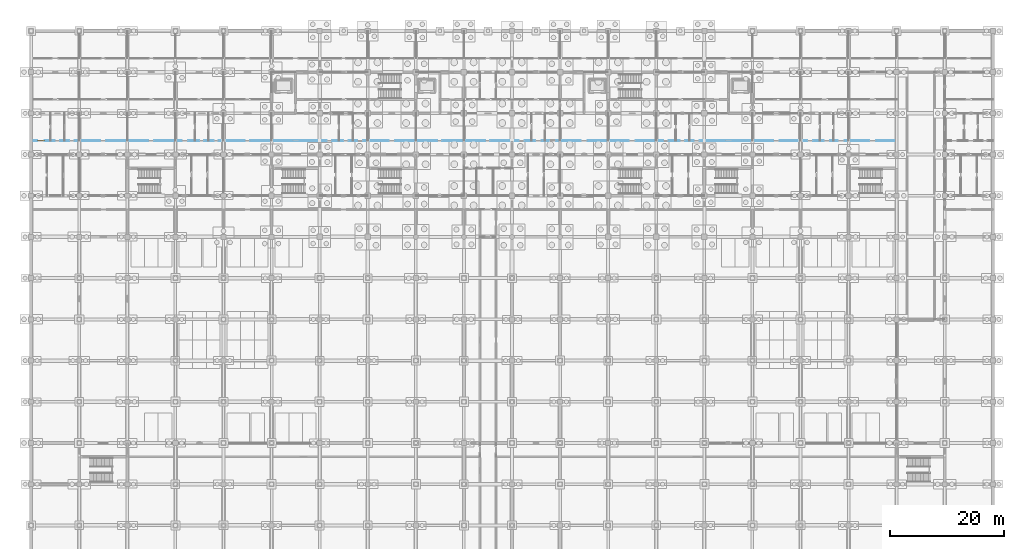
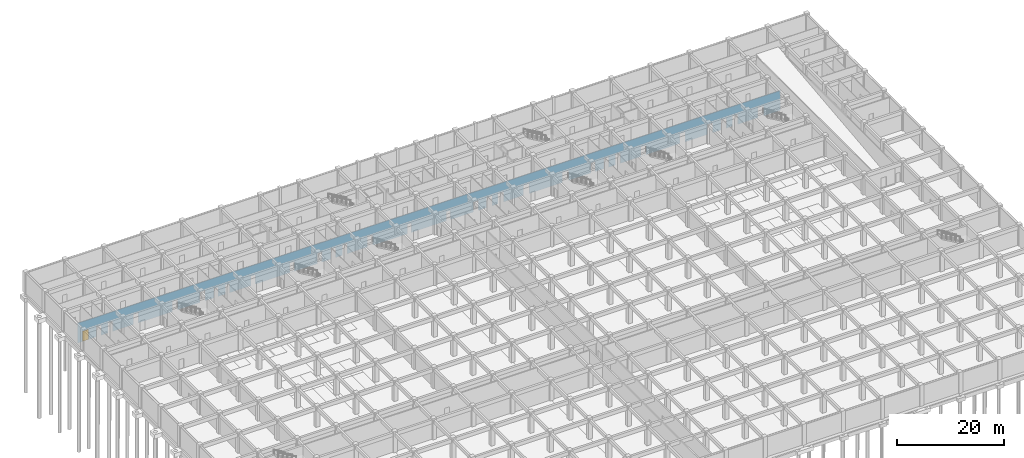
# One storey, part 41 of 85: 1 door, 30 openings, plus 1 element that does not belong to this part.
"""IFC4 building model written with IfcOpenShell, lengths in metres."""

from ifc_helpers import new_model, si_unit, direction, frame, frame_2d, origin, place, context, subcontext, project, spatial, rectangle, extrude, material, layer, layer_set, type_object, element, fill, save


model = new_model("IFC4")

# Units and contexts
model_context = context("Model", 3, precision=1e-05, world=origin(), true_north=direction((0.0, 1.0)))
body_context = subcontext(model_context, "Body", "Model", "MODEL_VIEW")
ifc_project = project(units=[si_unit("LENGTHUNIT", "METRE"), si_unit("AREAUNIT", "SQUARE_METRE"), si_unit("VOLUMEUNIT", "CUBIC_METRE"), si_unit("PLANEANGLEUNIT", "RADIAN"), si_unit("MASSUNIT", "GRAM", prefix="KILO")], contexts=[model_context])

# Site, building, storey
site_placement = place(None, origin())
site = spatial("IfcSite", under=ifc_project, at=site_placement, CompositionType="ELEMENT")
building_placement = place(site_placement, origin())
building = spatial("IfcBuilding", under=site, at=building_placement, Name="Chengyuan Square Courthouse", CompositionType="ELEMENT")
storey_placement = place(building_placement, frame((0.0, 0.0, -10.199951171875)))
storey = spatial("IfcBuildingStorey", under=building, at=storey_placement, Name="B02", CompositionType="ELEMENT", Elevation=-10.199951171875)

# Wall, openings, door
ifc_material_1 = material(Name="Gypsum Plasterboard Acoustic Stud Partition")
ifc_layer = layer(ifc_material_1, 0.10009765625)
ifc_layer_set = layer_set([ifc_layer], Name="Gypsum Plasterboard Acoustic Stud Partition")
wall_type = type_object("IfcWallType", Name="WL-PT6", PredefinedType="STANDARD", material=ifc_layer_set)
wall_placement = place(storey_placement, frame((0.0400390625, 96.0, 0.0), z_axis=(0.0, 0.0, 1.0), x_axis=(1.0, 0.0, 0.0)))
wall = element("IfcWall", 1, at=wall_placement, inside=storey, type_object=wall_type, Name="Interior Wall WL-B02-I062", PredefinedType="STANDARD", context=body_context, shape_type="SweptSolid", body=[
    extrude(rectangle(XDim=151.159912109375, YDim=0.10009765625, at=frame_2d((75.580078125, 0.0))), origin(), (0.0, 0.0, 1.0), 4.47998046875),
])
opening_1_placement = place(wall_placement, frame((1.0400390625, 0.0, 0.0)))
opening_1 = element("IfcOpeningElement", 2, at=opening_1_placement, cuts=wall, Name="Opening DR-148", PredefinedType="OPENING", context=body_context, shape_type="SweptSolid", body=[
    extrude(rectangle(XDim=1.280029296875, YDim=2.35009765625, at=frame_2d((0.64013671875, 1.175048828125))), frame((0.0, 0.06201171875, 0.0), z_axis=(0.0, -1.0, 0.0), x_axis=(1.0, 0.0, 0.0)), (0.0, 0.0, 1.0), 0.1240234375),
])
opening_2_placement = place(wall_placement, frame((4.090087890625, 0.0, 0.0)))
element("IfcOpeningElement", 3, at=opening_2_placement, cuts=wall, Name="Opening DR-149", PredefinedType="OPENING", context=body_context, shape_type="SweptSolid", body=[
    extrude(rectangle(XDim=0.93994140625, YDim=2.300048828125, at=frame_2d((0.469970703125, 1.14990234375))), frame((0.0, 0.06201171875, 0.0), z_axis=(0.0, -1.0, 0.0), x_axis=(1.0, 0.0, 0.0)), (0.0, 0.0, 1.0), 0.1240234375),
])
opening_3_placement = place(wall_placement, frame((6.570068359375, 0.0, 0.0)))
element("IfcOpeningElement", 4, at=opening_3_placement, cuts=wall, Name="Opening DR-150", PredefinedType="OPENING", context=body_context, shape_type="SweptSolid", body=[
    extrude(rectangle(XDim=0.97998046875, YDim=2.35009765625, at=frame_2d((0.489990234375, 1.175048828125))), frame((0.0, 0.06201171875, 0.0), z_axis=(0.0, -1.0, 0.0), x_axis=(1.0, 0.0, 0.0)), (0.0, 0.0, 1.0), 0.1240234375),
])
opening_4_placement = place(wall_placement, frame((12.050048828125, 0.0, 0.0)))
element("IfcOpeningElement", 5, at=opening_4_placement, cuts=wall, Name="Opening DR-151", PredefinedType="OPENING", context=body_context, shape_type="SweptSolid", body=[
    extrude(rectangle(XDim=1.02001953125, YDim=2.39990234375, at=frame_2d((0.510009765625, 1.199951171875))), frame((0.0, 0.06201171875, 0.0), z_axis=(0.0, -1.0, 0.0), x_axis=(1.0, 0.0, 0.0)), (0.0, 0.0, 1.0), 0.1240234375),
])
opening_5_placement = place(wall_placement, frame((20.429931640625, 0.0, 0.0)))
element("IfcOpeningElement", 6, at=opening_5_placement, cuts=wall, Name="Opening DR-152", PredefinedType="OPENING", context=body_context, shape_type="SweptSolid", body=[
    extrude(rectangle(XDim=1.06005859375, YDim=2.39990234375, at=frame_2d((0.530029296875, 1.199951171875))), frame((0.0, 0.06201171875, 0.0), z_axis=(0.0, -1.0, 0.0), x_axis=(1.0, 0.0, 0.0)), (0.0, 0.0, 1.0), 0.1240234375),
])
opening_6_placement = place(wall_placement, frame((26.2900390625, 0.0, 0.0)))
element("IfcOpeningElement", 7, at=opening_6_placement, cuts=wall, Name="Opening DR-153", PredefinedType="OPENING", context=body_context, shape_type="SweptSolid", body=[
    extrude(rectangle(XDim=1.139892578125, YDim=2.39990234375, at=frame_2d((0.56982421875, 1.199951171875))), frame((0.0, 0.06201171875, 0.0), z_axis=(0.0, -1.0, 0.0), x_axis=(1.0, 0.0, 0.0)), (0.0, 0.0, 1.0), 0.1240234375),
])
opening_7_placement = place(wall_placement, frame((29.31005859375, 0.0, 0.0)))
element("IfcOpeningElement", 8, at=opening_7_placement, cuts=wall, Name="Opening DR-154", PredefinedType="OPENING", context=body_context, shape_type="SweptSolid", body=[
    extrude(rectangle(XDim=0.89990234375, YDim=2.14990234375, at=frame_2d((0.449951171875, 1.074951171875))), frame((0.0, 0.06201171875, 0.0), z_axis=(0.0, -1.0, 0.0), x_axis=(1.0, 0.0, 0.0)), (0.0, 0.0, 1.0), 0.1240234375),
])
opening_8_placement = place(wall_placement, frame((31.830078125, 0.0, 0.0)))
element("IfcOpeningElement", 9, at=opening_8_placement, cuts=wall, Name="Opening DR-155", PredefinedType="OPENING", context=body_context, shape_type="SweptSolid", body=[
    extrude(rectangle(XDim=0.860107421875, YDim=2.10009765625, at=frame_2d((0.43017578125, 1.050048828125))), frame((0.0, 0.06201171875, 0.0), z_axis=(0.0, -1.0, 0.0), x_axis=(1.0, 0.0, 0.0)), (0.0, 0.0, 1.0), 0.1240234375),
])
opening_9_placement = place(wall_placement, frame((37.300048828125, 0.0, 0.0)))
element("IfcOpeningElement", 10, at=opening_9_placement, cuts=wall, Name="Opening DR-156", PredefinedType="OPENING", context=body_context, shape_type="SweptSolid", body=[
    extrude(rectangle(XDim=0.919921875, YDim=2.14990234375, at=frame_2d((0.4599609375, 1.074951171875))), frame((0.0, 0.06201171875, 0.0), z_axis=(0.0, -1.0, 0.0), x_axis=(1.0, 0.0, 0.0)), (0.0, 0.0, 1.0), 0.1240234375),
])
opening_10_placement = place(wall_placement, frame((45.679931640625, 0.0, 0.0)))
element("IfcOpeningElement", 11, at=opening_10_placement, cuts=wall, Name="Opening DR-157", PredefinedType="OPENING", context=body_context, shape_type="SweptSolid", body=[
    extrude(rectangle(XDim=0.9599609375, YDim=2.199951171875, at=frame_2d((0.47998046875, 1.10009765625))), frame((0.0, 0.06201171875, 0.0), z_axis=(0.0, -1.0, 0.0), x_axis=(1.0, 0.0, 0.0)), (0.0, 0.0, 1.0), 0.1240234375),
])
opening_11_placement = place(wall_placement, frame((51.570068359375, 0.0, 0.0)))
element("IfcOpeningElement", 12, at=opening_11_placement, cuts=wall, Name="Opening DR-167", PredefinedType="OPENING", context=body_context, shape_type="SweptSolid", body=[
    extrude(rectangle(XDim=0.97998046875, YDim=2.35009765625, at=frame_2d((0.489990234375, 1.175048828125))), frame((0.0, 0.06201171875, 0.0), z_axis=(0.0, -1.0, 0.0), x_axis=(1.0, 0.0, 0.0)), (0.0, 0.0, 1.0), 0.1240234375),
])
opening_12_placement = place(wall_placement, frame((54.449951171875, 0.0, 0.0)))
element("IfcOpeningElement", 13, at=opening_12_placement, cuts=wall, Name="Opening DR-168", PredefinedType="OPENING", context=body_context, shape_type="SweptSolid", body=[
    extrude(rectangle(XDim=1.02001953125, YDim=2.39990234375, at=frame_2d((0.510009765625, 1.199951171875))), frame((0.0, 0.06201171875, 0.0), z_axis=(0.0, -1.0, 0.0), x_axis=(1.0, 0.0, 0.0)), (0.0, 0.0, 1.0), 0.1240234375),
])
opening_13_placement = place(wall_placement, frame((56.929931640625, 0.0, 0.0)))
element("IfcOpeningElement", 14, at=opening_13_placement, cuts=wall, Name="Opening DR-169", PredefinedType="OPENING", context=body_context, shape_type="SweptSolid", body=[
    extrude(rectangle(XDim=1.06005859375, YDim=2.39990234375, at=frame_2d((0.530029296875, 1.199951171875))), frame((0.0, 0.06201171875, 0.0), z_axis=(0.0, -1.0, 0.0), x_axis=(1.0, 0.0, 0.0)), (0.0, 0.0, 1.0), 0.1240234375),
])
opening_14_placement = place(wall_placement, frame((62.389892578125, 0.0, 0.0)))
element("IfcOpeningElement", 15, at=opening_14_placement, cuts=wall, Name="Opening DR-170", PredefinedType="OPENING", context=body_context, shape_type="SweptSolid", body=[
    extrude(rectangle(XDim=1.139892578125, YDim=2.39990234375, at=frame_2d((0.56982421875, 1.199951171875))), frame((0.0, 0.06201171875, 0.0), z_axis=(0.0, -1.0, 0.0), x_axis=(1.0, 0.0, 0.0)), (0.0, 0.0, 1.0), 0.1240234375),
])
opening_15_placement = place(wall_placement, frame((70.909912109375, 0.0, 0.0)))
element("IfcOpeningElement", 16, at=opening_15_placement, cuts=wall, Name="Opening DR-171", PredefinedType="OPENING", context=body_context, shape_type="SweptSolid", body=[
    extrude(rectangle(XDim=0.89990234375, YDim=2.14990234375, at=frame_2d((0.449951171875, 1.074951171875))), frame((0.0, 0.06201171875, 0.0), z_axis=(0.0, -1.0, 0.0), x_axis=(1.0, 0.0, 0.0)), (0.0, 0.0, 1.0), 0.1240234375),
])
opening_16_placement = place(wall_placement, frame((79.330078125, 0.0, 0.0)))
element("IfcOpeningElement", 17, at=opening_16_placement, cuts=wall, Name="Opening DR-172", PredefinedType="OPENING", context=body_context, shape_type="SweptSolid", body=[
    extrude(rectangle(XDim=0.860107421875, YDim=2.10009765625, at=frame_2d((0.43017578125, 1.050048828125))), frame((0.0, 0.06201171875, 0.0), z_axis=(0.0, -1.0, 0.0), x_axis=(1.0, 0.0, 0.0)), (0.0, 0.0, 1.0), 0.1240234375),
])
opening_17_placement = place(wall_placement, frame((85.10009765625, 0.0, 0.0)))
element("IfcOpeningElement", 18, at=opening_17_placement, cuts=wall, Name="Opening DR-178", PredefinedType="OPENING", context=body_context, shape_type="SweptSolid", body=[
    extrude(rectangle(XDim=1.1201171875, YDim=2.25, at=frame_2d((0.56005859375, 1.125))), frame((0.0, 0.06201171875, 0.0), z_axis=(0.0, -1.0, 0.0), x_axis=(1.0, 0.0, 0.0)), (0.0, 0.0, 1.0), 0.1240234375),
])
opening_18_placement = place(wall_placement, frame((87.97998046875, 0.0, 0.0)))
element("IfcOpeningElement", 19, at=opening_18_placement, cuts=wall, Name="Opening DR-179", PredefinedType="OPENING", context=body_context, shape_type="SweptSolid", body=[
    extrude(rectangle(XDim=1.159912109375, YDim=2.300048828125, at=frame_2d((0.580078125, 1.14990234375))), frame((0.0, 0.06201171875, 0.0), z_axis=(0.0, -1.0, 0.0), x_axis=(1.0, 0.0, 0.0)), (0.0, 0.0, 1.0), 0.1240234375),
])
opening_19_placement = place(wall_placement, frame((90.4599609375, 0.0, 0.0)))
element("IfcOpeningElement", 20, at=opening_19_placement, cuts=wall, Name="Opening DR-180", PredefinedType="OPENING", context=body_context, shape_type="SweptSolid", body=[
    extrude(rectangle(XDim=1.199951171875, YDim=2.35009765625, at=frame_2d((0.60009765625, 1.175048828125))), frame((0.0, 0.06201171875, 0.0), z_axis=(0.0, -1.0, 0.0), x_axis=(1.0, 0.0, 0.0)), (0.0, 0.0, 1.0), 0.1240234375),
])
opening_20_placement = place(wall_placement, frame((95.93994140625, 0.0, 0.0)))
element("IfcOpeningElement", 21, at=opening_20_placement, cuts=wall, Name="Opening DR-181", PredefinedType="OPENING", context=body_context, shape_type="SweptSolid", body=[
    extrude(rectangle(XDim=1.239990234375, YDim=2.300048828125, at=frame_2d((0.6201171875, 1.14990234375))), frame((0.0, 0.06201171875, 0.0), z_axis=(0.0, -1.0, 0.0), x_axis=(1.0, 0.0, 0.0)), (0.0, 0.0, 1.0), 0.1240234375),
])
opening_21_placement = place(wall_placement, frame((104.320068359375, 0.0, 0.0)))
element("IfcOpeningElement", 22, at=opening_21_placement, cuts=wall, Name="Opening DR-182", PredefinedType="OPENING", context=body_context, shape_type="SweptSolid", body=[
    extrude(rectangle(XDim=1.280029296875, YDim=2.35009765625, at=frame_2d((0.64013671875, 1.175048828125))), frame((0.0, 0.06201171875, 0.0), z_axis=(0.0, -1.0, 0.0), x_axis=(1.0, 0.0, 0.0)), (0.0, 0.0, 1.0), 0.1240234375),
])
opening_22_placement = place(wall_placement, frame((110.389892578125, 0.0, 0.0)))
element("IfcOpeningElement", 23, at=opening_22_placement, cuts=wall, Name="Opening DR-183", PredefinedType="OPENING", context=body_context, shape_type="SweptSolid", body=[
    extrude(rectangle(XDim=0.93994140625, YDim=2.300048828125, at=frame_2d((0.469970703125, 1.14990234375))), frame((0.0, 0.06201171875, 0.0), z_axis=(0.0, -1.0, 0.0), x_axis=(1.0, 0.0, 0.0)), (0.0, 0.0, 1.0), 0.1240234375),
])
opening_23_placement = place(wall_placement, frame((113.27001953125, 0.0, 0.0)))
element("IfcOpeningElement", 24, at=opening_23_placement, cuts=wall, Name="Opening DR-184", PredefinedType="OPENING", context=body_context, shape_type="SweptSolid", body=[
    extrude(rectangle(XDim=0.97998046875, YDim=2.35009765625, at=frame_2d((0.489990234375, 1.175048828125))), frame((0.0, 0.06201171875, 0.0), z_axis=(0.0, -1.0, 0.0), x_axis=(1.0, 0.0, 0.0)), (0.0, 0.0, 1.0), 0.1240234375),
])
opening_24_placement = place(wall_placement, frame((115.75, 0.0, 0.0)))
element("IfcOpeningElement", 25, at=opening_24_placement, cuts=wall, Name="Opening DR-185", PredefinedType="OPENING", context=body_context, shape_type="SweptSolid", body=[
    extrude(rectangle(XDim=1.02001953125, YDim=2.39990234375, at=frame_2d((0.510009765625, 1.199951171875))), frame((0.0, 0.06201171875, 0.0), z_axis=(0.0, -1.0, 0.0), x_axis=(1.0, 0.0, 0.0)), (0.0, 0.0, 1.0), 0.1240234375),
])
opening_25_placement = place(wall_placement, frame((121.239990234375, 0.0, 0.0)))
element("IfcOpeningElement", 26, at=opening_25_placement, cuts=wall, Name="Opening DR-193", PredefinedType="OPENING", context=body_context, shape_type="SweptSolid", body=[
    extrude(rectangle(XDim=1.0400390625, YDim=2.199951171875, at=frame_2d((0.52001953125, 1.10009765625))), frame((0.0, 0.06201171875, 0.0), z_axis=(0.0, -1.0, 0.0), x_axis=(1.0, 0.0, 0.0)), (0.0, 0.0, 1.0), 0.1240234375),
])
opening_26_placement = place(wall_placement, frame((129.6201171875, 0.0, 0.0)))
element("IfcOpeningElement", 27, at=opening_26_placement, cuts=wall, Name="Opening DR-194", PredefinedType="OPENING", context=body_context, shape_type="SweptSolid", body=[
    extrude(rectangle(XDim=1.080078125, YDim=2.25, at=frame_2d((0.5400390625, 1.125))), frame((0.0, 0.06201171875, 0.0), z_axis=(0.0, -1.0, 0.0), x_axis=(1.0, 0.0, 0.0)), (0.0, 0.0, 1.0), 0.1240234375),
])
opening_27_placement = place(wall_placement, frame((135.5, 0.0, 0.0)))
element("IfcOpeningElement", 28, at=opening_27_placement, cuts=wall, Name="Opening DR-195", PredefinedType="OPENING", context=body_context, shape_type="SweptSolid", body=[
    extrude(rectangle(XDim=1.1201171875, YDim=2.25, at=frame_2d((0.56005859375, 1.125))), frame((0.0, 0.06201171875, 0.0), z_axis=(0.0, -1.0, 0.0), x_axis=(1.0, 0.0, 0.0)), (0.0, 0.0, 1.0), 0.1240234375),
])
opening_28_placement = place(wall_placement, frame((138.3798828125, 0.0, 0.0)))
element("IfcOpeningElement", 29, at=opening_28_placement, cuts=wall, Name="Opening DR-196", PredefinedType="OPENING", context=body_context, shape_type="SweptSolid", body=[
    extrude(rectangle(XDim=1.159912109375, YDim=2.300048828125, at=frame_2d((0.580078125, 1.14990234375))), frame((0.0, 0.06201171875, 0.0), z_axis=(0.0, -1.0, 0.0), x_axis=(1.0, 0.0, 0.0)), (0.0, 0.0, 1.0), 0.1240234375),
])
opening_29_placement = place(wall_placement, frame((140.860107421875, 0.0, 0.0)))
element("IfcOpeningElement", 30, at=opening_29_placement, cuts=wall, Name="Opening DR-197", PredefinedType="OPENING", context=body_context, shape_type="SweptSolid", body=[
    extrude(rectangle(XDim=1.199951171875, YDim=2.35009765625, at=frame_2d((0.60009765625, 1.175048828125))), frame((0.0, 0.06201171875, 0.0), z_axis=(0.0, -1.0, 0.0), x_axis=(1.0, 0.0, 0.0)), (0.0, 0.0, 1.0), 0.1240234375),
])
opening_30_placement = place(wall_placement, frame((146.340087890625, 0.0, 0.0)))
element("IfcOpeningElement", 31, at=opening_30_placement, cuts=wall, Name="Opening DR-198", PredefinedType="OPENING", context=body_context, shape_type="SweptSolid", body=[
    extrude(rectangle(XDim=1.239990234375, YDim=2.300048828125, at=frame_2d((0.6201171875, 1.14990234375))), frame((0.0, 0.06201171875, 0.0), z_axis=(0.0, -1.0, 0.0), x_axis=(1.0, 0.0, 0.0)), (0.0, 0.0, 1.0), 0.1240234375),
])
ifc_material_2 = material(Name="Acoustic Solid-Core Timber Door", Category="wood")
door_type = type_object("IfcDoorType", Name="DT-38", OperationType="NOTDEFINED", PredefinedType="DOOR", material=ifc_material_2)
door_placement = place(opening_1_placement, origin())
door = element("IfcDoor", 32, at=door_placement, inside=storey, type_object=door_type, Name="Interior Door DR-148", OperationType="SINGLE_SWING_LEFT", OverallHeight=2.35009765625, OverallWidth=1.280029296875, PredefinedType="DOOR", context=body_context, shape_type="SweptSolid", body=[
    extrude(rectangle(XDim=1.280029296875, YDim=2.35009765625, at=frame_2d((0.64013671875, 1.175048828125))), frame((0.0, 0.02490234375, 0.0), z_axis=(0.0, -1.0, 0.0), x_axis=(1.0, 0.0, 0.0)), (0.0, 0.0, 1.0), 0.050048828125),
])
fill(opening_1, door)

save(model, "model.ifc")
